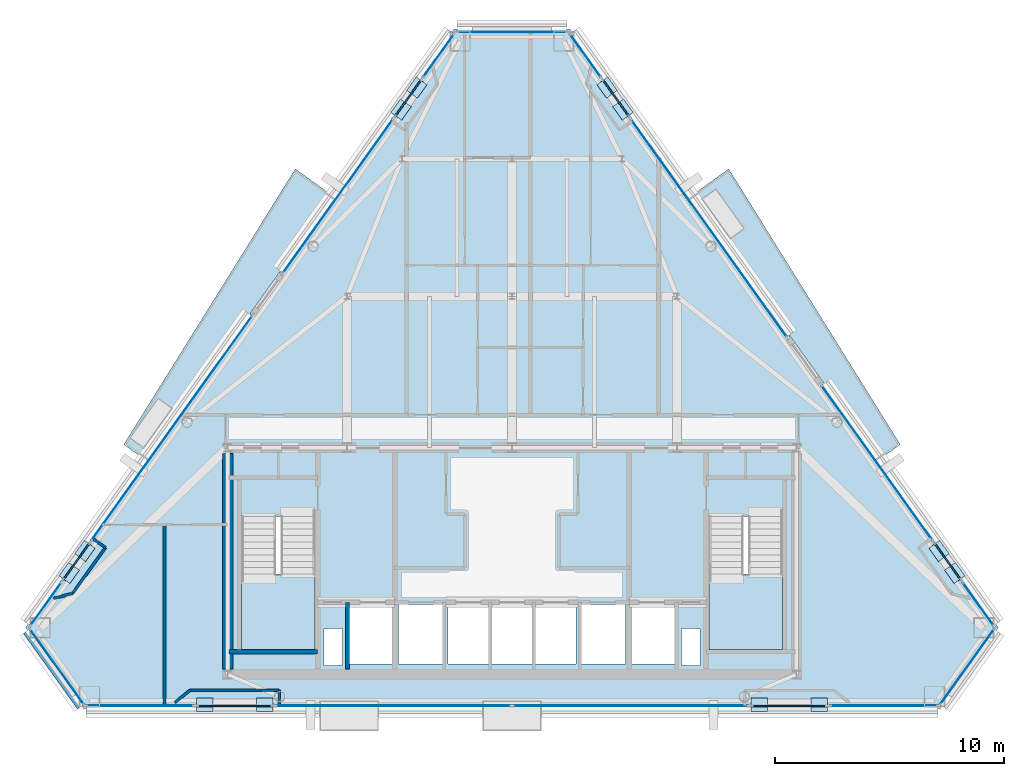
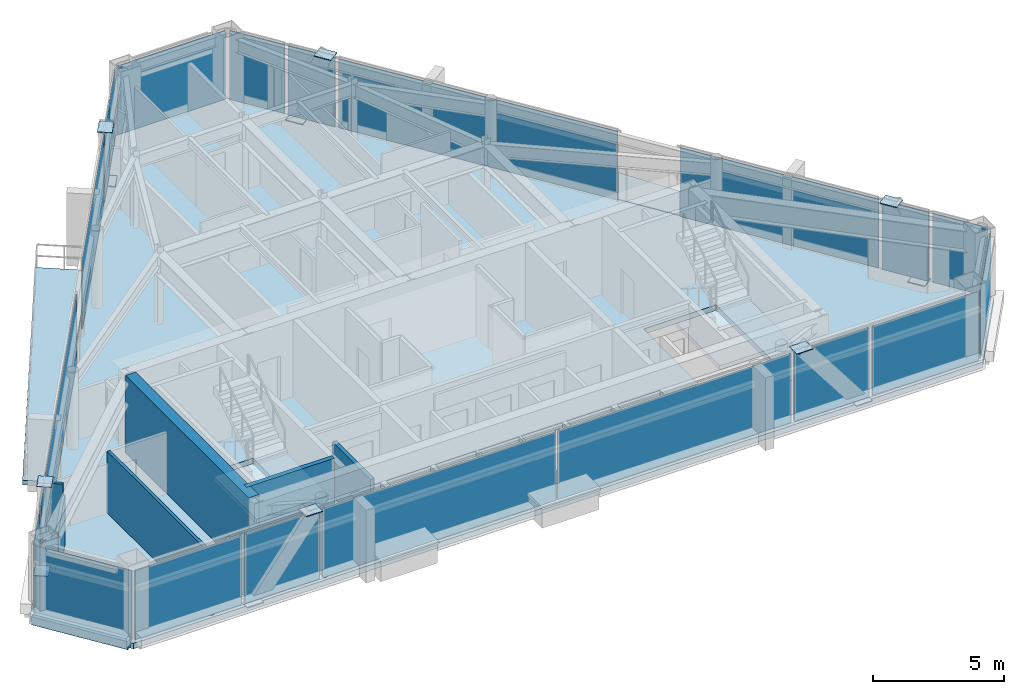
# One storey, part 7 of 12: 33 plates, 11 walls, 5 slabs, 22 elements without a shape of their own.
"""IFC4 building model written with IfcOpenShell, lengths in metres."""

from ifc_helpers import new_model, si_unit, direction, frame, frame_2d, origin, origin_2d, place, context, subcontext, project, spatial, polyline, rectangle, outline, extrude, source, transform, mapped, material, layer, layer_set, type_object, type_shapes, element, aggregate, save


model = new_model("IFC4")

# Units and contexts
model_context = context("Model", 3, precision=1e-05, world=origin(), true_north=direction((0.0, 1.0)))
body_context = subcontext(model_context, "Body", "Model", "MODEL_VIEW")
ifc_project = project(units=[si_unit("LENGTHUNIT", "METRE"), si_unit("AREAUNIT", "SQUARE_METRE"), si_unit("VOLUMEUNIT", "CUBIC_METRE"), si_unit("PLANEANGLEUNIT", "RADIAN"), si_unit("MASSUNIT", "GRAM", prefix="KILO")], contexts=[model_context])

# Site, building, storey
site_placement = place(None, origin())
site = spatial("IfcSite", under=ifc_project, at=site_placement, CompositionType="ELEMENT")
building_placement = place(site_placement, origin())
building = spatial("IfcBuilding", under=site, at=building_placement, Name="Talgorran Terracotta Tower", CompositionType="ELEMENT")
storey_placement = place(building_placement, frame((0.0, 0.0, 249.0)))
storey = spatial("IfcBuildingStorey", under=building, at=storey_placement, Name="L65", CompositionType="ELEMENT", Elevation=249.0)

# Plates
ifc_material_1 = material(Name="Steel Grade 350 (350L0)", Category="steel")
ifc_layer_1 = layer(ifc_material_1, 0.031982421875, Name="PL_CAP_MN07")
ifc_layer_set_1 = layer_set([ifc_layer_1], Name="Steel Grade 350 (350L0)")
plate_type_1 = type_object("IfcPlateType", Name="PL_CAP_MN07", PredefinedType="USERDEFINED", material=ifc_layer_set_1)
for number, where, z_axis, x_axis, name in (
    (1, (-13.404296875, -15.42333984375, -0.005859375), (0.0, 0.0, 1.0), (1.0, 0.0, 0.0), "L65 Diagonal Frame End Cap SWF Bot"),
    (2, (-10.7978515625, -15.42333984375, 3.31884765625), (0.0, 0.0, 1.0), (1.0, 0.0, 0.0), "L65 Diagonal Frame End Cap SWF Top"),
    (3, (13.404296875, -15.42333984375, -0.005859375), (0.0, 0.0, 1.0), (-1.0, 0.0, 0.0), "L65 Diagonal Frame End Cap SEF Bot"),
    (4, (10.7978515625, -15.42333984375, 3.31884765625), (0.0, 0.0, 1.0), (-1.0, 0.0, 0.0), "L65 Diagonal Frame End Cap SEF Top"),
    (5, (19.318115234375, -9.6689453125, -0.005859375), (0.0, 0.0, 1.0), (-0.582122970157, 0.813100761047, 0.0), "L65 Diagonal Frame End Cap NEL Bot"),
    (6, (18.630615234375, -8.708740234375, 3.31884765625), (0.0, 0.0, 1.0), (-0.582122970157, 0.813100761047, 0.0), "L65 Diagonal Frame End Cap NEL Top"),
    (7, (4.15283203125, 11.509033203125, -0.005859375), (0.0, 0.0, 1.0), (0.582122970157, -0.813100761047, 0.0), "L65 Diagonal Frame End Cap NEU Bot"),
    (8, (4.840576171875, 10.548583984375, 3.31884765625), (0.0, 0.0, 1.0), (0.582122970157, -0.813100761047, 0.0), "L65 Diagonal Frame End Cap NEU Top"),
    (9, (-4.15283203125, 11.509033203125, -0.005859375), (0.0, 0.0, 1.0), (-0.582122970157, -0.813100761047, 0.0), "L65 Diagonal Frame End Cap NWU Bot"),
    (10, (-4.840576171875, 10.548583984375, 3.31884765625), (0.0, 0.0, 1.0), (-0.582122970157, -0.813100761047, 0.0), "L65 Diagonal Frame End Cap NWU Top"),
    (11, (-19.318115234375, -9.6689453125, -0.005859375), (0.0, 0.0, 1.0), (0.582122970157, 0.813100761047, 0.0), "L65 Diagonal Frame End Cap NWL Bot"),
    (12, (-18.630615234375, -8.708740234375, 3.31884765625), (0.0, 0.0, 1.0), (0.582122970157, 0.813100761047, 0.0), "L65 Diagonal Frame End Cap NWL Top"),
):
    element("IfcPlate", number, at=place(storey_placement, frame(where, z_axis=z_axis, x_axis=x_axis)), inside=storey, type_object=plate_type_1, Name=name, ObjectType="CAP PLATE", PredefinedType="USERDEFINED", context=body_context, shape_type="SweptSolid", body=[
        extrude(rectangle(XDim=0.719970703125, YDim=0.580078125, at=origin_2d()), origin(), (0.0, 0.0, 1.0), 0.031982421875),
    ])

# Slabs
ifc_material_2 = material(Name="Concrete C40/50", Category="concrete")
ifc_layer_2 = layer(ifc_material_2, 0.219970703125, Name="SL_BALCONY_220")
ifc_layer_set_2 = layer_set([ifc_layer_2], Name="Concrete C40/50")
slab_type_1 = type_object("IfcSlabType", Name="SL_BALCONY_220", PredefinedType="FLOOR", material=ifc_layer_set_2)
slab_1_placement = place(storey_placement, frame((0.0, 0.0, -0.219970703125)))
element("IfcSlab", 13, at=slab_1_placement, inside=storey, type_object=slab_type_1, Name="L65 Outdoor Wave Balcony BAL-NE", PredefinedType="FLOOR", context=body_context, shape_type="SweptSolid", body=[
    extrude(outline(polyline([(7.773193359375, 6.753662109375), (16.001220703125, -4.736083984375), (16.93798828125, -4.065185546875), (9.45458984375, 7.95751953125), (7.773193359375, 6.753662109375)])), origin(), (0.0, 0.0, 1.0), 0.219970703125),
])
slab_2_placement = place(storey_placement, frame((0.0, 0.0, -0.219970703125)))
element("IfcSlab", 14, at=slab_2_placement, inside=storey, type_object=slab_type_1, Name="L65 Outdoor Wave Balcony BAL-NW", PredefinedType="FLOOR", context=body_context, shape_type="SweptSolid", body=[
    extrude(outline(polyline([(-16.001220703125, -4.736083984375), (-7.773193359375, 6.753662109375), (-9.45458984375, 7.95751953125), (-16.93798828125, -4.065185546875), (-16.001220703125, -4.736083984375)])), origin(), (0.0, 0.0, 1.0), 0.219970703125),
])

# Stair, slab
stair_type = type_object("IfcStairType", Name="ST_FIRE_SCISSOR", PredefinedType="HALF_TURN_STAIR", material=ifc_material_2)
stair_1_placement = place(storey_placement, origin())
stair_1 = element("IfcStair", 15, at=stair_1_placement, inside=storey, type_object=stair_type, Name="L65 West Protected Fire Stair ST-01", PredefinedType="HALF_TURN_STAIR")
ifc_layer_3 = layer(ifc_material_2, 0.199951171875, Name="SL_LANDING_200")
ifc_layer_set_3 = layer_set([ifc_layer_3], Name="Concrete C40/50")
slab_type_2 = type_object("IfcSlabType", Name="SL_LANDING_200", PredefinedType="LANDING", material=ifc_layer_set_3)
slab_3_placement = place(storey_placement, frame((0.0, 0.0, 1.60009765625)))
slab_3 = element("IfcSlab", 16, at=slab_3_placement, type_object=slab_type_2, Name="ST-01 landing 1", PredefinedType="LANDING", context=body_context, shape_type="SweptSolid", body=[
    extrude(outline(polyline([(-11.800048828125, -9.719970703125), (-11.800048828125, -13.0), (-8.60009765625, -13.0), (-8.60009765625, -9.719970703125), (-11.800048828125, -9.719970703125)])), origin(), (0.0, 0.0, 1.0), 0.199951171875),
])
aggregate(stair_1, [slab_3])

stair_2_placement = place(storey_placement, origin())
stair_2 = element("IfcStair", 17, at=stair_2_placement, inside=storey, type_object=stair_type, Name="L65 East Protected Fire Stair ST-02", PredefinedType="HALF_TURN_STAIR")
slab_4_placement = place(storey_placement, frame((0.0, 0.0, 1.60009765625)))
slab_4 = element("IfcSlab", 18, at=slab_4_placement, type_object=slab_type_2, Name="ST-02 landing 1", PredefinedType="LANDING", context=body_context, shape_type="SweptSolid", body=[
    extrude(outline(polyline([(8.60009765625, -9.719970703125), (8.60009765625, -13.0), (11.800048828125, -13.0), (11.800048828125, -9.719970703125), (8.60009765625, -9.719970703125)])), origin(), (0.0, 0.0, 1.0), 0.199951171875),
])
aggregate(stair_2, [slab_4])

# Slab
ifc_layer_4 = layer(ifc_material_2, 0.2548828125, Name="SL_TOWER_235")
ifc_layer_set_4 = layer_set([ifc_layer_4], Name="Concrete C40/50")
slab_type_3 = type_object("IfcSlabType", Name="SL_TOWER_235", PredefinedType="FLOOR", material=ifc_layer_set_4)
slab_5_placement = place(storey_placement, frame((0.0, 0.0, -0.2548828125)))
element("IfcSlab", 19, at=slab_5_placement, inside=storey, type_object=slab_type_3, Name="Storey L65 Structural Floor Slab", PredefinedType="FLOOR", context=body_context, shape_type="SweptSolid", body=[
    extrude(outline(polyline([(-21.224609375, -12.056640625), (-18.69921875, -15.583251953125), (18.69921875, -15.583251953125), (21.224609375, -12.056640625), (2.525390625, 14.056640625), (-2.525390625, 14.056640625), (-21.224609375, -12.056640625)]), holes=[polyline([(-11.800048828125, -7.199951171875), (-11.800048828125, -13.0), (-8.60009765625, -13.0), (-8.60009765625, -7.199951171875), (-11.800048828125, -7.199951171875)]), polyline([(8.60009765625, -7.199951171875), (8.60009765625, -13.0), (11.800048828125, -13.0), (11.800048828125, -7.199951171875), (8.60009765625, -7.199951171875)]), polyline([(-7.10009765625, -13.64990234375), (-5.199951171875, -13.64990234375), (-5.199951171875, -11.050048828125), (-7.10009765625, -11.050048828125), (-7.10009765625, -13.64990234375)]), polyline([(5.199951171875, -13.64990234375), (7.10009765625, -13.64990234375), (7.10009765625, -11.050048828125), (5.199951171875, -11.050048828125), (5.199951171875, -13.64990234375)]), polyline([(3.0, -13.64990234375), (4.949951171875, -13.64990234375), (4.949951171875, -11.050048828125), (3.0, -11.050048828125), (3.0, -13.64990234375)]), polyline([(-4.949951171875, -13.64990234375), (-3.0, -13.64990234375), (-3.0, -11.050048828125), (-4.949951171875, -11.050048828125), (-4.949951171875, -13.64990234375)]), polyline([(-2.800048828125, -13.64990234375), (-1.0, -13.64990234375), (-1.0, -11.050048828125), (-2.800048828125, -11.050048828125), (-2.800048828125, -13.64990234375)]), polyline([(-0.89990234375, -13.64990234375), (0.89990234375, -13.64990234375), (0.89990234375, -11.050048828125), (-0.89990234375, -11.050048828125), (-0.89990234375, -13.64990234375)]), polyline([(1.0, -13.64990234375), (2.800048828125, -13.64990234375), (2.800048828125, -11.050048828125), (1.0, -11.050048828125), (1.0, -13.64990234375)]), polyline([(-8.199951171875, -13.699951171875), (-7.39990234375, -13.699951171875), (-7.39990234375, -12.10009765625), (-8.199951171875, -12.10009765625), (-8.199951171875, -13.699951171875)]), polyline([(7.39990234375, -13.699951171875), (8.199951171875, -13.699951171875), (8.199951171875, -12.10009765625), (7.39990234375, -12.10009765625), (7.39990234375, -13.699951171875)])]), origin(), (0.0, 0.0, 1.0), 0.2548828125),
])

# Curtain wall, plate
ifc_material_3 = material(Name="High-Wind Unitised Glazing", Category="glass")
ifc_layer_5 = layer(ifc_material_3, 0.2099609375, Name="CW_SYS3_RES_HIGH")
ifc_layer_set_5 = layer_set([ifc_layer_5], Name="High-Wind Unitised Glazing")
curtain_wall_type = type_object("IfcCurtainWallType", Name="CW_SYS3_RES_HIGH", PredefinedType="NOTDEFINED", material=ifc_layer_set_5)
curtain_wall_1_placement = place(storey_placement, origin())
curtain_wall_1 = element("IfcCurtainWall", 20, at=curtain_wall_1_placement, inside=storey, type_object=curtain_wall_type, Name="CW-L65-F0", PredefinedType="NOTDEFINED")
ifc_material_4 = material(Name="High-Wind Acoustic Vision Glass", Category="glass")
ifc_layer_6 = layer(ifc_material_4, 0.031982421875, Name="PLT_VISION_32")
ifc_layer_set_6 = layer_set([ifc_layer_6], Name="High-Wind Acoustic Vision Glass")
plate_type_2 = type_object("IfcPlateType", Name="PLT_VISION_32", PredefinedType="CURTAIN_PANEL", material=ifc_layer_set_6)
shared_shape_1 = source(origin(), body_context, "Body", "SweptSolid", [
    extrude(rectangle(XDim=4.050048828125, YDim=0.031982421875, at=origin_2d()), origin(), (0.0, 0.0, 1.0), 3.205078125),
])
plate_1_placement = place(storey_placement, frame((-19.857421875, -13.760009765625, 0.070068359375), z_axis=(0.0, 0.0, 1.0), x_axis=(0.582219838862, -0.813031401137, 0.0)))
plate_1 = element("IfcPlate", 21, at=plate_1_placement, type_object=plate_type_2, Name="CW-L65-0 panel 1.1", PredefinedType="CURTAIN_PANEL", context=body_context, shape_type="MappedRepresentation", body=[
    mapped(shared_shape_1, transform((0.0, 0.0, 0.0), scale=1.0)),
])
aggregate(curtain_wall_1, [plate_1])

curtain_wall_2_placement = place(storey_placement, origin())
curtain_wall_2 = element("IfcCurtainWall", 22, at=curtain_wall_2_placement, inside=storey, type_object=curtain_wall_type, Name="CW-L65-F2", PredefinedType="NOTDEFINED")
plate_2_placement = place(storey_placement, frame((19.857421875, -13.760009765625, 0.070068359375), z_axis=(0.0, 0.0, 1.0), x_axis=(0.582219838862, 0.813031401137, 0.0)))
plate_2 = element("IfcPlate", 23, at=plate_2_placement, type_object=plate_type_2, Name="CW-L65-2 panel 1.1", PredefinedType="CURTAIN_PANEL", context=body_context, shape_type="MappedRepresentation", body=[
    mapped(shared_shape_1, transform((0.0, 0.0, 0.0), scale=1.0)),
])
aggregate(curtain_wall_2, [plate_2])

curtain_wall_3_placement = place(storey_placement, origin())
curtain_wall_3 = element("IfcCurtainWall", 24, at=curtain_wall_3_placement, inside=storey, type_object=curtain_wall_type, Name="CW-L65-F1", PredefinedType="NOTDEFINED")
shared_shape_2 = source(origin(), body_context, "Body", "SweptSolid", [
    extrude(rectangle(XDim=4.676513671875, YDim=0.031982421875, at=origin_2d()), origin(), (0.0, 0.0, 1.0), 3.205078125),
])
plate_3_placement = place(storey_placement, frame((-16.229248046875, -15.46337890625, 0.070068359375), z_axis=(0.0, 0.0, 1.0), x_axis=(1.0, 0.0, 0.0)))
plate_3 = element("IfcPlate", 25, at=plate_3_placement, type_object=plate_type_2, Name="CW-L65-1 panel 1.1", PredefinedType="CURTAIN_PANEL", context=body_context, shape_type="MappedRepresentation", body=[
    mapped(shared_shape_2, transform((0.0, 0.0, 0.0), scale=1.0)),
])
aggregate(curtain_wall_3, [plate_3])

curtain_wall_4_placement = place(storey_placement, origin())
curtain_wall_4 = element("IfcCurtainWall", 26, at=curtain_wall_4_placement, inside=storey, type_object=curtain_wall_type, Name="CW-L65-F1E", PredefinedType="NOTDEFINED")
plate_4_placement = place(storey_placement, frame((16.229248046875, -15.46337890625, 0.070068359375), z_axis=(0.0, 0.0, 1.0), x_axis=(1.0, 0.0, 0.0)))
plate_4 = element("IfcPlate", 27, at=plate_4_placement, type_object=plate_type_2, Name="CW-L65-1E panel 1.1", PredefinedType="CURTAIN_PANEL", context=body_context, shape_type="MappedRepresentation", body=[
    mapped(shared_shape_2, transform((0.0, 0.0, 0.0), scale=1.0)),
])
aggregate(curtain_wall_4, [plate_4])

curtain_wall_5_placement = place(storey_placement, origin())
curtain_wall_5 = element("IfcCurtainWall", 28, at=curtain_wall_5_placement, inside=storey, type_object=curtain_wall_type, Name="CW-L65-F1B", PredefinedType="NOTDEFINED")
ifc_material_5 = material(Name="Terracotta Insulated Spandrel", Category="masonry")
ifc_layer_7 = layer(ifc_material_5, 0.06494140625, Name="PLT_SPANDREL_TERRA")
ifc_layer_set_7 = layer_set([ifc_layer_7], Name="Terracotta Insulated Spandrel")
plate_type_3 = type_object("IfcPlateType", Name="PLT_SPANDREL_TERRA", PredefinedType="SHEET", material=ifc_layer_set_7)
shared_shape_3 = source(origin(), body_context, "Body", "SweptSolid", [
    extrude(rectangle(XDim=3.280029296875, YDim=0.06494140625, at=origin_2d()), origin(), (0.0, 0.0, 1.0), 3.205078125),
])
plate_5_placement = place(storey_placement, frame((-12.10107421875, -15.46337890625, 0.070068359375), z_axis=(0.0, 0.0, 1.0), x_axis=(1.0, 0.0, 0.0)))
plate_5 = element("IfcPlate", 29, at=plate_5_placement, type_object=plate_type_3, Name="CW-L65-1B panel 1.1", PredefinedType="CURTAIN_PANEL", context=body_context, shape_type="MappedRepresentation", body=[
    mapped(shared_shape_3, transform((0.0, 0.0, 0.0), scale=1.0)),
])
aggregate(curtain_wall_5, [plate_5])

curtain_wall_6_placement = place(storey_placement, origin())
curtain_wall_6 = element("IfcCurtainWall", 30, at=curtain_wall_6_placement, inside=storey, type_object=curtain_wall_type, Name="CW-L65-F1D", PredefinedType="NOTDEFINED")
plate_6_placement = place(storey_placement, frame((12.10107421875, -15.46337890625, 0.070068359375), z_axis=(0.0, 0.0, 1.0), x_axis=(1.0, 0.0, 0.0)))
plate_6 = element("IfcPlate", 31, at=plate_6_placement, type_object=plate_type_3, Name="CW-L65-1D panel 1.1", PredefinedType="CURTAIN_PANEL", context=body_context, shape_type="MappedRepresentation", body=[
    mapped(shared_shape_3, transform((0.0, 0.0, 0.0), scale=1.0)),
])
aggregate(curtain_wall_6, [plate_6])

# Curtain wall, plates
curtain_wall_7_placement = place(storey_placement, origin())
curtain_wall_7 = element("IfcCurtainWall", 32, at=curtain_wall_7_placement, inside=storey, type_object=curtain_wall_type, Name="CW-L65-F1C", PredefinedType="NOTDEFINED")
shared_shape_4 = source(origin(), body_context, "Body", "SweptSolid", [
    extrude(rectangle(XDim=10.276123046875, YDim=0.031982421875, at=origin_2d()), origin(), (0.0, 0.0, 1.0), 3.205078125),
])
plate_7_placement = place(storey_placement, frame((-5.173095703125, -15.46337890625, 0.070068359375), z_axis=(0.0, 0.0, 1.0), x_axis=(1.0, 0.0, 0.0)))
plate_7 = element("IfcPlate", 33, at=plate_7_placement, type_object=plate_type_2, Name="CW-L65-1C panel 1.1", PredefinedType="CURTAIN_PANEL", context=body_context, shape_type="MappedRepresentation", body=[
    mapped(shared_shape_4, transform((0.0, 0.0, 0.0), scale=1.0)),
])
plate_8_placement = place(storey_placement, frame((5.173095703125, -15.46337890625, 0.070068359375), z_axis=(0.0, 0.0, 1.0), x_axis=(1.0, 0.0, 0.0)))
plate_8 = element("IfcPlate", 34, at=plate_8_placement, type_object=plate_type_2, Name="CW-L65-1C panel 2.1", PredefinedType="CURTAIN_PANEL", context=body_context, shape_type="MappedRepresentation", body=[
    mapped(shared_shape_4, transform((0.0, 0.0, 0.0), scale=1.0)),
])
aggregate(curtain_wall_7, [plate_7, plate_8])

# Curtain wall, plate
curtain_wall_8_placement = place(storey_placement, origin())
curtain_wall_8 = element("IfcCurtainWall", 35, at=curtain_wall_8_placement, inside=storey, type_object=curtain_wall_type, Name="CW-L65-F40", PredefinedType="NOTDEFINED")
shared_shape_5 = source(origin(), body_context, "Body", "SweptSolid", [
    extrude(rectangle(XDim=2.318603515625, YDim=0.031982421875, at=origin_2d()), origin(), (0.0, 0.0, 1.0), 3.205078125),
])
plate_9_placement = place(storey_placement, frame((20.338134765625, -11.024658203125, 0.070068359375), z_axis=(0.0, 0.0, 1.0), x_axis=(-0.582218844464, 0.813032113235, 0.0)))
plate_9 = element("IfcPlate", 36, at=plate_9_placement, type_object=plate_type_2, Name="CW-L65-40 panel 1.1", PredefinedType="CURTAIN_PANEL", context=body_context, shape_type="MappedRepresentation", body=[
    mapped(shared_shape_5, transform((0.0, 0.0, 0.0), scale=1.0)),
])
aggregate(curtain_wall_8, [plate_9])

curtain_wall_9_placement = place(storey_placement, origin())
curtain_wall_9 = element("IfcCurtainWall", 37, at=curtain_wall_9_placement, inside=storey, type_object=curtain_wall_type, Name="CW-L65-F61C", PredefinedType="NOTDEFINED")
plate_10_placement = place(storey_placement, frame((-20.338134765625, -11.024658203125, 0.070068359375), z_axis=(0.0, 0.0, 1.0), x_axis=(-0.582218844464, -0.813032113235, 0.0)))
plate_10 = element("IfcPlate", 38, at=plate_10_placement, type_object=plate_type_2, Name="CW-L65-61C panel 1.1", PredefinedType="CURTAIN_PANEL", context=body_context, shape_type="MappedRepresentation", body=[
    mapped(shared_shape_5, transform((0.0, 0.0, 0.0), scale=1.0)),
])
aggregate(curtain_wall_9, [plate_10])

curtain_wall_10_placement = place(storey_placement, origin())
curtain_wall_10 = element("IfcCurtainWall", 39, at=curtain_wall_10_placement, inside=storey, type_object=curtain_wall_type, Name="CW-L65-F40B", PredefinedType="NOTDEFINED")
shared_shape_6 = source(origin(), body_context, "Body", "SweptSolid", [
    extrude(rectangle(XDim=1.95458984375, YDim=0.06494140625, at=origin_2d()), origin(), (0.0, 0.0, 1.0), 3.205078125),
])
type_shapes(plate_type_3, [shared_shape_3, shared_shape_6])
plate_11_placement = place(storey_placement, frame((19.0068359375, -9.16552734375, 0.070068359375), z_axis=(0.0, 0.0, 1.0), x_axis=(-0.582199780234, 0.813045764946, 0.0)))
plate_11 = element("IfcPlate", 40, at=plate_11_placement, type_object=plate_type_3, Name="CW-L65-40B panel 1.1", PredefinedType="CURTAIN_PANEL", context=body_context, shape_type="MappedRepresentation", body=[
    mapped(shared_shape_6, transform((0.0, 0.0, 0.0), scale=1.0)),
])
aggregate(curtain_wall_10, [plate_11])

curtain_wall_11_placement = place(storey_placement, origin())
curtain_wall_11 = element("IfcCurtainWall", 41, at=curtain_wall_11_placement, inside=storey, type_object=curtain_wall_type, Name="CW-L65-F41B", PredefinedType="NOTDEFINED")
plate_12_placement = place(storey_placement, frame((4.529296875, 11.05224609375, 0.070068359375), z_axis=(0.0, 0.0, 1.0), x_axis=(-0.582199780234, 0.813045764946, 0.0)))
plate_12 = element("IfcPlate", 42, at=plate_12_placement, type_object=plate_type_3, Name="CW-L65-41B panel 1.1", PredefinedType="CURTAIN_PANEL", context=body_context, shape_type="MappedRepresentation", body=[
    mapped(shared_shape_6, transform((0.0, 0.0, 0.0), scale=1.0)),
])
aggregate(curtain_wall_11, [plate_12])

curtain_wall_12_placement = place(storey_placement, origin())
curtain_wall_12 = element("IfcCurtainWall", 43, at=curtain_wall_12_placement, inside=storey, type_object=curtain_wall_type, Name="CW-L65-F60B", PredefinedType="NOTDEFINED")
plate_13_placement = place(storey_placement, frame((-4.529296875, 11.05224609375, 0.070068359375), z_axis=(0.0, 0.0, 1.0), x_axis=(-0.582199780234, -0.813045764946, 0.0)))
plate_13 = element("IfcPlate", 44, at=plate_13_placement, type_object=plate_type_3, Name="CW-L65-60B panel 1.1", PredefinedType="CURTAIN_PANEL", context=body_context, shape_type="MappedRepresentation", body=[
    mapped(shared_shape_6, transform((0.0, 0.0, 0.0), scale=1.0)),
])
aggregate(curtain_wall_12, [plate_13])

curtain_wall_13_placement = place(storey_placement, origin())
curtain_wall_13 = element("IfcCurtainWall", 45, at=curtain_wall_13_placement, inside=storey, type_object=curtain_wall_type, Name="CW-L65-F61B", PredefinedType="NOTDEFINED")
plate_14_placement = place(storey_placement, frame((-19.0068359375, -9.16552734375, 0.070068359375), z_axis=(0.0, 0.0, 1.0), x_axis=(-0.582199780234, -0.813045764946, 0.0)))
plate_14 = element("IfcPlate", 46, at=plate_14_placement, type_object=plate_type_3, Name="CW-L65-61B panel 1.1", PredefinedType="CURTAIN_PANEL", context=body_context, shape_type="MappedRepresentation", body=[
    mapped(shared_shape_6, transform((0.0, 0.0, 0.0), scale=1.0)),
])
aggregate(curtain_wall_13, [plate_14])

curtain_wall_14_placement = place(storey_placement, origin())
curtain_wall_14 = element("IfcCurtainWall", 47, at=curtain_wall_14_placement, inside=storey, type_object=curtain_wall_type, Name="CW-L65-F40C", PredefinedType="NOTDEFINED")
shared_shape_7 = source(origin(), body_context, "Body", "SweptSolid", [
    extrude(rectangle(XDim=8.32275390625, YDim=0.031982421875, at=origin_2d()), origin(), (0.0, 0.0, 1.0), 3.205078125),
])
plate_15_placement = place(storey_placement, frame((15.927734375, -4.86572265625, 0.070068359375), z_axis=(0.0, 0.0, 1.0), x_axis=(-0.582206887748, 0.813040675402, 0.0)))
plate_15 = element("IfcPlate", 48, at=plate_15_placement, type_object=plate_type_2, Name="CW-L65-40C panel 1.1", PredefinedType="CURTAIN_PANEL", context=body_context, shape_type="MappedRepresentation", body=[
    mapped(shared_shape_7, transform((0.0, 0.0, 0.0), scale=1.0)),
])
aggregate(curtain_wall_14, [plate_15])

curtain_wall_15_placement = place(storey_placement, origin())
curtain_wall_15 = element("IfcCurtainWall", 49, at=curtain_wall_15_placement, inside=storey, type_object=curtain_wall_type, Name="CW-L65-F41", PredefinedType="NOTDEFINED")
shared_shape_8 = source(origin(), body_context, "Body", "SweptSolid", [
    extrude(rectangle(XDim=11.689453125, YDim=0.031982421875, at=origin_2d()), origin(), (0.0, 0.0, 1.0), 3.205078125),
])
plate_16_placement = place(storey_placement, frame((8.58837890625, 5.383544921875, 0.070068359375), z_axis=(0.0, 0.0, 1.0), x_axis=(-0.582204558759, 0.813042343153, 0.0)))
plate_16 = element("IfcPlate", 50, at=plate_16_placement, type_object=plate_type_2, Name="CW-L65-41 panel 1.1", PredefinedType="CURTAIN_PANEL", context=body_context, shape_type="MappedRepresentation", body=[
    mapped(shared_shape_8, transform((0.0, 0.0, 0.0), scale=1.0)),
])
aggregate(curtain_wall_15, [plate_16])

curtain_wall_16_placement = place(storey_placement, origin())
curtain_wall_16 = element("IfcCurtainWall", 51, at=curtain_wall_16_placement, inside=storey, type_object=curtain_wall_type, Name="CW-L65-F41C", PredefinedType="NOTDEFINED")
shared_shape_9 = source(origin(), body_context, "Body", "SweptSolid", [
    extrude(rectangle(XDim=2.310791015625, YDim=0.031982421875, at=origin_2d()), origin(), (0.0, 0.0, 1.0), 3.205078125),
])
plate_17_placement = place(storey_placement, frame((3.2001953125, 12.907958984375, 0.070068359375), z_axis=(0.0, 0.0, 1.0), x_axis=(-0.582206626265, 0.813040862647, 0.0)))
plate_17 = element("IfcPlate", 52, at=plate_17_placement, type_object=plate_type_2, Name="CW-L65-41C panel 1.1", PredefinedType="CURTAIN_PANEL", context=body_context, shape_type="MappedRepresentation", body=[
    mapped(shared_shape_9, transform((0.0, 0.0, 0.0), scale=1.0)),
])
aggregate(curtain_wall_16, [plate_17])

curtain_wall_17_placement = place(storey_placement, origin())
curtain_wall_17 = element("IfcCurtainWall", 53, at=curtain_wall_17_placement, inside=storey, type_object=curtain_wall_type, Name="CW-L65-F60", PredefinedType="NOTDEFINED")
plate_18_placement = place(storey_placement, frame((-3.2001953125, 12.907958984375, 0.070068359375), z_axis=(0.0, 0.0, 1.0), x_axis=(-0.582206626265, -0.813040862647, 0.0)))
plate_18 = element("IfcPlate", 54, at=plate_18_placement, type_object=plate_type_2, Name="CW-L65-60 panel 1.1", PredefinedType="CURTAIN_PANEL", context=body_context, shape_type="MappedRepresentation", body=[
    mapped(shared_shape_9, transform((0.0, 0.0, 0.0), scale=1.0)),
])
aggregate(curtain_wall_17, [plate_18])

curtain_wall_18_placement = place(storey_placement, origin())
curtain_wall_18 = element("IfcCurtainWall", 55, at=curtain_wall_18_placement, inside=storey, type_object=curtain_wall_type, Name="CW-L65-F4", PredefinedType="NOTDEFINED")
shared_shape_10 = source(origin(), body_context, "Body", "SweptSolid", [
    extrude(rectangle(XDim=4.787109375, YDim=0.031982421875, at=origin_2d()), origin(), (0.0, 0.0, 1.0), 3.205078125),
])
plate_19_placement = place(storey_placement, frame((0.0, 13.936767578125, 0.070068359375), z_axis=(0.0, 0.0, 1.0), x_axis=(-1.0, 0.0, 0.0)))
plate_19 = element("IfcPlate", 56, at=plate_19_placement, type_object=plate_type_2, Name="CW-L65-4 panel 1.1", PredefinedType="CURTAIN_PANEL", context=body_context, shape_type="MappedRepresentation", body=[
    mapped(shared_shape_10, transform((0.0, 0.0, 0.0), scale=1.0)),
])
aggregate(curtain_wall_18, [plate_19])

curtain_wall_19_placement = place(storey_placement, origin())
curtain_wall_19 = element("IfcCurtainWall", 57, at=curtain_wall_19_placement, inside=storey, type_object=curtain_wall_type, Name="CW-L65-F60C", PredefinedType="NOTDEFINED")
shared_shape_11 = source(origin(), body_context, "Body", "SweptSolid", [
    extrude(rectangle(XDim=8.257080078125, YDim=0.031982421875, at=origin_2d()), origin(), (0.0, 0.0, 1.0), 3.205078125),
])
plate_20_placement = place(storey_placement, frame((-7.589111328125, 6.779052734375, 0.070068359375), z_axis=(0.0, 0.0, 1.0), x_axis=(-0.582207721467, -0.813040078388, 0.0)))
plate_20 = element("IfcPlate", 58, at=plate_20_placement, type_object=plate_type_2, Name="CW-L65-60C panel 1.1", PredefinedType="CURTAIN_PANEL", context=body_context, shape_type="MappedRepresentation", body=[
    mapped(shared_shape_11, transform((0.0, 0.0, 0.0), scale=1.0)),
])
aggregate(curtain_wall_19, [plate_20])

curtain_wall_20_placement = place(storey_placement, origin())
curtain_wall_20 = element("IfcCurtainWall", 59, at=curtain_wall_20_placement, inside=storey, type_object=curtain_wall_type, Name="CW-L65-F61", PredefinedType="NOTDEFINED")
shared_shape_12 = source(origin(), body_context, "Body", "SweptSolid", [
    extrude(rectangle(XDim=12.055419921875, YDim=0.031982421875, at=origin_2d()), origin(), (0.0, 0.0, 1.0), 3.205078125),
])
type_shapes(plate_type_2, [shared_shape_1, shared_shape_2, shared_shape_4, shared_shape_5, shared_shape_7, shared_shape_8, shared_shape_9, shared_shape_10, shared_shape_11, shared_shape_12])
plate_21_placement = place(storey_placement, frame((-14.841064453125, -3.348388671875, 0.070068359375), z_axis=(0.0, 0.0, 1.0), x_axis=(-0.582208123277, -0.813039790656, 0.0)))
plate_21 = element("IfcPlate", 60, at=plate_21_placement, type_object=plate_type_2, Name="CW-L65-61 panel 1.1", PredefinedType="CURTAIN_PANEL", context=body_context, shape_type="MappedRepresentation", body=[
    mapped(shared_shape_12, transform((0.0, 0.0, 0.0), scale=1.0)),
])
aggregate(curtain_wall_20, [plate_21])

# Walls
ifc_material_6 = material(Name="Concrete C50/60", Category="concrete")
ifc_layer_8 = layer(ifc_material_6, 0.199951171875, Name="WT_CORE_200")
ifc_layer_set_8 = layer_set([ifc_layer_8], Name="Concrete C50/60")
wall_type_1 = type_object("IfcWallType", Name="WT_CORE_200", PredefinedType="SOLIDWALL", material=ifc_layer_set_8)
wall_1_placement = place(storey_placement, frame((-12.35009765625, -13.10009765625, 0.0), z_axis=(0.0, 0.0, 1.0), x_axis=(1.0, 0.0, 0.0)))
element("IfcWall", 61, at=wall_1_placement, inside=storey, type_object=wall_type_1, Name="WL-L65-CW-ST1-S", PredefinedType="SOLIDWALL", context=body_context, shape_type="SweptSolid", body=[
    extrude(rectangle(XDim=3.8701171875, YDim=0.199951171875, at=frame_2d((1.93505859375, 0.0))), origin(), (0.0, 0.0, 1.0), 3.60009765625),
])
ifc_material_7 = material(Name="Concrete C65/80", Category="concrete")
ifc_layer_9 = layer(ifc_material_7, 0.449951171875, Name="WT_CORE_EXT")
ifc_layer_set_9 = layer_set([ifc_layer_9], Name="Concrete C65/80")
wall_type_2 = type_object("IfcWallType", Name="WT_CORE_EXT", PredefinedType="SHEAR", material=ifc_layer_set_9)
wall_2_placement = place(storey_placement, frame((-12.39990234375, -13.85009765625, 0.0), z_axis=(0.0, 0.0, 1.0), x_axis=(0.0, 1.0, 0.0)))
element("IfcWall", 62, at=wall_2_placement, inside=storey, type_object=wall_type_2, Name="WL-L65-CW-OUT-W", PredefinedType="SHEAR", context=body_context, shape_type="SweptSolid", body=[
    extrude(rectangle(XDim=9.400146484375, YDim=0.449951171875, at=frame_2d((4.7001953125, 0.0))), origin(), (0.0, 0.0, 1.0), 3.60009765625),
])
ifc_layer_10 = layer(ifc_material_2, 0.219970703125, Name="WT_PARAPET_RC")
ifc_layer_set_10 = layer_set([ifc_layer_10], Name="Concrete C40/50")
wall_type_3 = type_object("IfcWallType", Name="WT_PARAPET_RC", PredefinedType="PARAPET", material=ifc_layer_set_10)
wall_3_placement = place(storey_placement, frame((-21.16064453125, -12.21484375, -0.199951171875), z_axis=(0.0, 0.0, 1.0), x_axis=(0.582223401732, -0.813028849719, 0.0)))
element("IfcWall", 63, at=wall_3_placement, inside=storey, type_object=wall_type_3, Name="L65 Striped Portal Precast Cornice F0", PredefinedType="PARAPET", context=body_context, shape_type="SweptSolid", body=[
    extrude(rectangle(XDim=4.030029296875, YDim=0.360107421875, at=frame_2d((2.01513671875, 0.0))), origin(), (0.0, 0.0, 1.0), 0.3798828125),
])
ifc_material_8 = material(Name="Insulated Steel Stud Plasterboard", Category="steel")
ifc_layer_11 = layer(ifc_material_8, 0.1201171875, Name="WT_PART_120")
ifc_layer_set_11 = layer_set([ifc_layer_11], Name="Insulated Steel Stud Plasterboard")
wall_type_4 = type_object("IfcWallType", Name="WT_PART_120", PredefinedType="PARTITIONING", material=ifc_layer_set_11)
wall_4_placement = place(storey_placement, frame((-14.044189453125, -14.783203125, 0.0), z_axis=(0.0, 0.0, 1.0), x_axis=(1.0, 0.0, 0.0)))
element("IfcWall", 64, at=wall_4_placement, inside=storey, type_object=wall_type_4, Name="WL-L65-BW-L65-01", PredefinedType="PARTITIONING", context=body_context, shape_type="SweptSolid", body=[
    extrude(rectangle(XDim=3.88623046875, YDim=0.1201171875, at=frame_2d((1.943115234375, 0.0))), origin(), (0.0, 0.0, 1.0), 2.863037109375),
])
wall_5_placement = place(storey_placement, frame((-17.737548828125, -8.560791015625, 0.0), z_axis=(0.0, 0.0, 1.0), x_axis=(-0.582157358489, -0.81307614032, 0.0)))
element("IfcWall", 65, at=wall_5_placement, inside=storey, type_object=wall_type_4, Name="WL-L65-BW-L65-08", PredefinedType="PARTITIONING", context=body_context, shape_type="SweptSolid", body=[
    extrude(rectangle(XDim=2.461181640625, YDim=0.1201171875, at=frame_2d((1.23046875, 0.0))), origin(), (0.0, 0.0, 1.0), 2.320068359375),
])
wall_6_placement = place(storey_placement, frame((-14.708251953125, -15.318115234375, 0.0), z_axis=(0.0, 0.0, 1.0), x_axis=(0.778769450364, 0.62731024476, 0.0)))
element("IfcWall", 66, at=wall_6_placement, inside=storey, type_object=wall_type_4, Name="WL-L65-BW-L65-03", PredefinedType="PARTITIONING", context=body_context, shape_type="SweptSolid", body=[
    extrude(rectangle(XDim=0.852783203125, YDim=0.1201171875, at=frame_2d((0.42626953125, 0.0))), origin(), (0.0, 0.0, 1.0), 2.863037109375),
])
wall_7_placement = place(storey_placement, frame((-19.17041015625, -10.56201171875, 0.0), z_axis=(0.0, 0.0, 1.0), x_axis=(-0.968778693612, -0.247927091708, 0.0)))
element("IfcWall", 67, at=wall_7_placement, inside=storey, type_object=wall_type_4, Name="WL-L65-BW-L65-09", PredefinedType="PARTITIONING", context=body_context, shape_type="SweptSolid", body=[
    extrude(rectangle(XDim=0.851806640625, YDim=0.1201171875, at=frame_2d((0.42578125, 0.0))), origin(), (0.0, 0.0, 1.0), 2.320068359375),
])
wall_8_placement = place(storey_placement, frame((-18.2822265625, -8.1708984375, 0.0), z_axis=(0.0, 0.0, 1.0), x_axis=(0.813142011208, -0.582065348229, 0.0)))
element("IfcWall", 68, at=wall_8_placement, inside=storey, type_object=wall_type_4, Name="WL-L65-BW-L65-07", PredefinedType="PARTITIONING", context=body_context, shape_type="SweptSolid", body=[
    extrude(rectangle(XDim=0.669921875, YDim=0.1201171875, at=frame_2d((0.3349609375, 0.0))), origin(), (0.0, 0.0, 1.0), 2.863037109375),
])
wall_9_placement = place(storey_placement, frame((-10.157958984375, -14.783203125, 0.0), z_axis=(0.0, 0.0, 1.0), x_axis=(0.0, -1.0, 0.0)))
element("IfcWall", 69, at=wall_9_placement, inside=storey, type_object=wall_type_4, Name="WL-L65-BW-L65-02", PredefinedType="PARTITIONING", context=body_context, shape_type="SweptSolid", body=[
    extrude(rectangle(XDim=0.670166015625, YDim=0.1201171875, at=frame_2d((0.3349609375, 0.0))), origin(), (0.0, 0.0, 1.0), 2.863037109375),
])
ifc_material_9 = material(Name="Moisture-Resistant Stud Wall")
ifc_layer_12 = layer(ifc_material_9, 0.135009765625, Name="WT_PART_135")
ifc_layer_set_12 = layer_set([ifc_layer_12], Name="Moisture-Resistant Stud Wall")
wall_type_5 = type_object("IfcWallType", Name="WT_PART_135", PredefinedType="PARTITIONING", material=ifc_layer_set_12)
wall_10_placement = place(storey_placement, frame((-15.159912109375, -15.46337890625, 0.0), z_axis=(0.0, 0.0, 1.0), x_axis=(0.0, 1.0, 0.0)))
element("IfcWall", 70, at=wall_10_placement, inside=storey, type_object=wall_type_5, Name="WL-L65-W-L65-R11", PredefinedType="PARTITIONING", context=body_context, shape_type="SweptSolid", body=[
    extrude(rectangle(XDim=7.9033203125, YDim=0.135009765625, at=frame_2d((3.95166015625, 0.0))), origin(), (0.0, 0.0, 1.0), 2.863037109375),
])
ifc_material_10 = material(Name="Fire-Rated Shaftwall")
ifc_layer_13 = layer(ifc_material_10, 0.159912109375, Name="WT_PART_150")
ifc_layer_set_13 = layer_set([ifc_layer_13], Name="Fire-Rated Shaftwall")
wall_type_6 = type_object("IfcWallType", Name="WT_PART_150", PredefinedType="PARTITIONING", material=ifc_layer_set_13)
wall_11_placement = place(storey_placement, frame((-7.179931640625, -13.85009765625, 0.0), z_axis=(0.0, 0.0, 1.0), x_axis=(0.0, 1.0, 0.0)))
element("IfcWall", 71, at=wall_11_placement, inside=storey, type_object=wall_type_6, Name="WL-L65-CW-RSW", PredefinedType="PARTITIONING", context=body_context, shape_type="SweptSolid", body=[
    extrude(rectangle(XDim=2.900146484375, YDim=0.159912109375, at=frame_2d((1.4501953125, 0.0))), origin(), (0.0, 0.0, 1.0), 2.570068359375),
])

save(model, "model.ifc")
